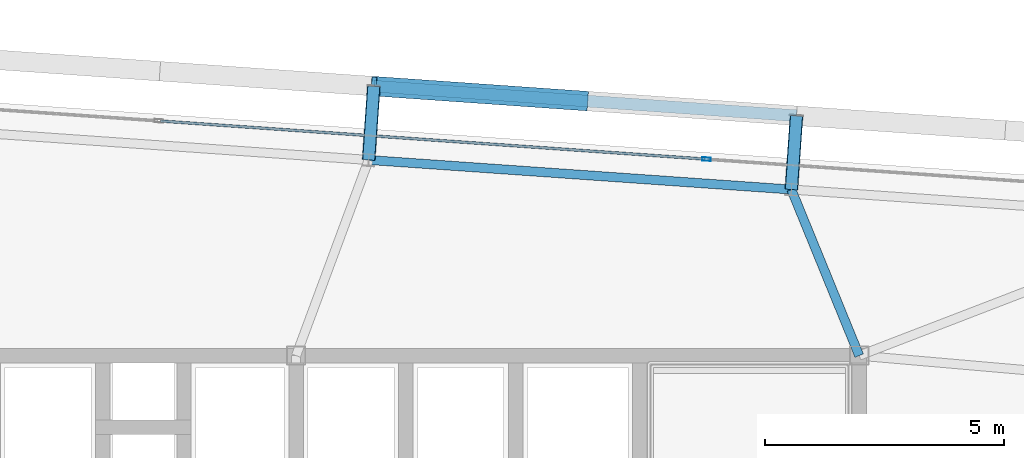
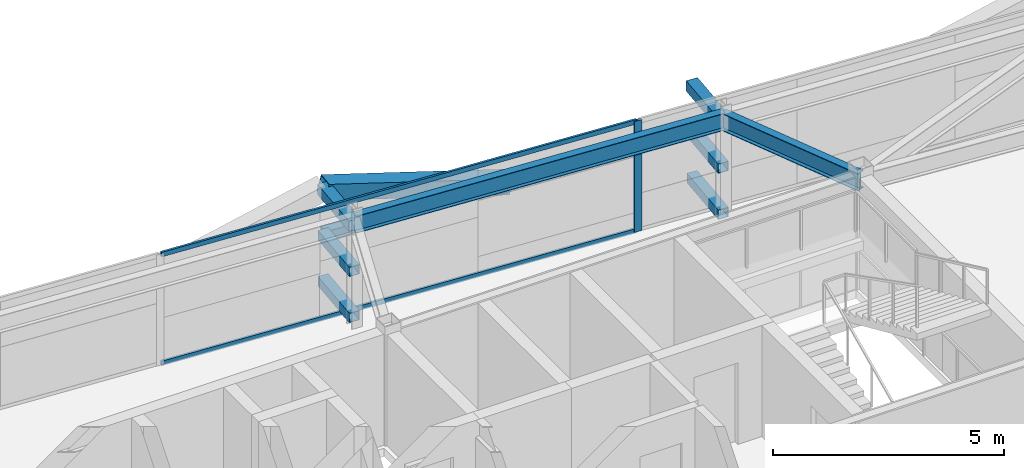
# One storey, part 23 of 39: 11 members, 2 beams, 1 element without a shape of its own.
"""IFC4 building model written with IfcOpenShell, lengths in metres."""

from ifc_helpers import new_model, si_unit, direction, frame, origin, origin_2d, place, context, subcontext, project, spatial, hollow_rectangle, i_section, extrude, source, transform, mapped, material, layer, layer_set, material_profile, profile_set, type_object, element, aggregate, save


model = new_model("IFC4")

# Units and contexts
model_context = context("Model", 3, precision=1e-05, world=origin(), true_north=direction((0.0, 1.0)))
body_context = subcontext(model_context, "Body", "Model", "MODEL_VIEW")
ifc_project = project(units=[si_unit("LENGTHUNIT", "METRE"), si_unit("AREAUNIT", "SQUARE_METRE"), si_unit("VOLUMEUNIT", "CUBIC_METRE"), si_unit("PLANEANGLEUNIT", "RADIAN"), si_unit("MASSUNIT", "GRAM", prefix="KILO")], contexts=[model_context])

# Site, building, storey
site_placement = place(None, origin())
site = spatial("IfcSite", under=ifc_project, at=site_placement, CompositionType="ELEMENT")
building_placement = place(site_placement, origin())
building = spatial("IfcBuilding", under=site, at=building_placement, Name="Taldren Reach Tower", CompositionType="ELEMENT")
storey_placement = place(building_placement, frame((0.0, 0.0, 126.699951171875)))
storey = spatial("IfcBuildingStorey", under=building, at=storey_placement, Name="L38", CompositionType="ELEMENT", Elevation=126.699951171875)

# Members
ifc_material_1 = material(Name="Steel Gr 450 (C450L0)", Category="steel")
ifc_material_profile_1 = material_profile(ifc_material_1, hollow_rectangle(XDim=0.27490234375, YDim=0.27490234375, WallThickness=0.00927734375, at=origin_2d()), Name="275x275x9.3SHS")
ifc_profile_set_1 = profile_set([ifc_material_profile_1], Name="Steel Gr 450 (C450L0)")
member_type_1 = type_object("IfcMemberType", Name="MB-TIE273", PredefinedType="STRUT", material=ifc_profile_set_1)
shared_shape_1 = source(origin(), body_context, "Body", "SweptSolid", [
    extrude(hollow_rectangle(XDim=0.27490234375, YDim=0.27490234375, WallThickness=0.00927734375, at=origin_2d()), origin(), (0.0, 0.0, 1.0), 1.550048828125),
])
for number, where, z_axis, x_axis, name in (
    (1, (40.7197265625, 36.100341796875, 2.650146484375), (0.06976957191, 0.99756313426, 0.0), (-0.99756313426, 0.06976957191, 0.0), "Exoskeleton diaphragm tie strut B3-N4 L38"),
    (2, (49.578125, 35.48095703125, 2.650146484375), (0.06976957191, 0.99756313426, 0.0), (-0.99756313426, 0.06976957191, 0.0), "Exoskeleton diaphragm tie strut B3-N5 L38"),
):
    element("IfcMember", number, at=place(storey_placement, frame(where, z_axis=z_axis, x_axis=x_axis)), inside=storey, type_object=member_type_1, Name=name, PredefinedType="STRUT", context=body_context, shape_type="MappedRepresentation", body=[
        mapped(shared_shape_1, transform((0.0, 0.0, 0.0), scale=1.0)),
    ])
ifc_material_2 = material(Name="Steel Gr 350 (C350L0)", Category="steel")
ifc_material_profile_2 = material_profile(ifc_material_2, hollow_rectangle(XDim=0.25, YDim=0.25, WallThickness=0.010009765625, at=origin_2d()), Name="250x250x10.0SHS")
ifc_profile_set_2 = profile_set([ifc_material_profile_2], Name="Steel Gr 350 (C350L0)")
member_type_2 = type_object("IfcMemberType", Name="MB-POST250", PredefinedType="POST", material=ifc_profile_set_2)
shared_shape_2 = source(origin(), body_context, "Body", "SweptSolid", [
    extrude(hollow_rectangle(XDim=0.25, YDim=0.25, WallThickness=0.010009765625, at=origin_2d()), origin(), (0.0, 0.0, 1.0), 1.550048828125),
])
for number, where, z_axis, x_axis, name in (
    (3, (40.7197265625, 36.100341796875, 0.219970703125), (0.06976957191, 0.99756313426, 0.0), (-0.99756313426, 0.06976957191, 0.0), "Exoskeleton base diaphragm tie strut B3-N4 L38"),
    (4, (49.578125, 35.48095703125, 0.219970703125), (0.06976957191, 0.99756313426, 0.0), (-0.99756313426, 0.06976957191, 0.0), "Exoskeleton base diaphragm tie strut B3-N5 L38"),
    (5, (40.7197265625, 36.100341796875, 1.43505859375), (0.06976957191, 0.99756313426, 0.0), (-0.99756313426, 0.06976957191, 0.0), "Exoskeleton mid-tier diaphragm tie B3-N4 L38"),
    (6, (49.578125, 35.48095703125, 1.43505859375), (0.06976957191, 0.99756313426, 0.0), (-0.99756313426, 0.06976957191, 0.0), "Exoskeleton mid-tier diaphragm tie B3-N5 L38"),
):
    element("IfcMember", number, at=place(storey_placement, frame(where, z_axis=z_axis, x_axis=x_axis)), inside=storey, type_object=member_type_2, Name=name, PredefinedType="POST", context=body_context, shape_type="MappedRepresentation", body=[
        mapped(shared_shape_2, transform((0.0, 0.0, 0.0), scale=1.0)),
    ])

# Beams
ifc_material_3 = material(Name="Steel Gr 350 (350PLUS)", Category="steel")
ifc_material_profile_3 = material_profile(ifc_material_3, i_section(OverallWidth=0.18994140625, OverallDepth=0.4541015625, WebThickness=0.008544921875, FlangeThickness=0.0126953125, at=origin_2d()), Name="460UB67.1")
ifc_profile_set_3 = profile_set([ifc_material_profile_3], Name="Steel Gr 350 (350PLUS)")
beam_type_1 = type_object("IfcBeamType", Name="SP-UB460B", PredefinedType="SPANDREL", material=ifc_profile_set_3)
shared_shape_3 = source(origin(), body_context, "Body", "SweptSolid", [
    extrude(i_section(OverallWidth=0.18994140625, OverallDepth=0.4541015625, WebThickness=0.008544921875, FlangeThickness=0.0126953125, at=origin_2d()), origin(), (0.0, 0.0, 1.0), 8.880126953125),
])
beam_1_placement = place(storey_placement, frame((49.578125, 35.48095703125, 2.703125), z_axis=(-0.997564479639, 0.069750333063, 0.0), x_axis=(-0.069750333063, -0.997564479639, 0.0)))
element("IfcBeam", 7, at=beam_1_placement, inside=storey, type_object=beam_type_1, Name="Perimeter spandrel B3 N5-N4 L38", PredefinedType="SPANDREL", context=body_context, shape_type="MappedRepresentation", body=[
    mapped(shared_shape_3, transform((0.0, 0.0, 0.0), scale=1.0)),
])
ifc_material_profile_4 = material_profile(ifc_material_3, i_section(OverallWidth=0.19091796875, OverallDepth=0.4599609375, WebThickness=0.010009765625, FlangeThickness=0.01611328125, at=origin_2d()), Name="460UB82.1")
ifc_profile_set_4 = profile_set([ifc_material_profile_4], Name="Steel Gr 350 (350PLUS)")
beam_type_2 = type_object("IfcBeamType", Name="BM-UB460A", PredefinedType="BEAM", material=ifc_profile_set_4)
shared_shape_4 = source(origin(), body_context, "Body", "SweptSolid", [
    extrude(i_section(OverallWidth=0.19091796875, OverallDepth=0.4599609375, WebThickness=0.010009765625, FlangeThickness=0.01611328125, at=origin_2d()), origin(), (0.0, 0.0, 1.0), 3.76025390625),
])
beam_2_placement = place(storey_placement, frame((51.0, 32.0, 2.699951171875), z_axis=(-0.37814232545, 0.925747471886, 0.0), x_axis=(-0.925747471886, -0.37814232545, 0.0)))
element("IfcBeam", 8, at=beam_2_placement, inside=storey, type_object=beam_type_2, Name="Primary floor girder B3-N5 L38", PredefinedType="BEAM", context=body_context, shape_type="MappedRepresentation", body=[
    mapped(shared_shape_4, transform((0.0, 0.0, 0.0), scale=1.0)),
])

# Members
shared_shape_5 = source(origin(), body_context, "Body", "SweptSolid", [
    extrude(hollow_rectangle(XDim=0.25, YDim=0.25, WallThickness=0.010009765625, at=origin_2d()), origin(), (0.0, 0.0, 1.0), 8.880126953125),
])
member_1_placement = place(storey_placement, frame((40.827880859375, 37.646728515625, 1.43505859375), z_axis=(0.997564479639, -0.069750333063, 0.0), x_axis=(0.069750333063, 0.997564479639, 0.0)))
element("IfcMember", 9, at=member_1_placement, inside=storey, type_object=member_type_2, Name="Exoskeleton mid-height ring chord B3-N4 L38", PredefinedType="POST", context=body_context, shape_type="MappedRepresentation", body=[
    mapped(shared_shape_5, transform((0.0, 0.0, 0.0), scale=1.0)),
])
ifc_material_profile_5 = material_profile(ifc_material_1, hollow_rectangle(XDim=0.409912109375, YDim=0.409912109375, WallThickness=0.01611328125, at=origin_2d()), Name="410x410x16.0SHS")
ifc_profile_set_5 = profile_set([ifc_material_profile_5], Name="Steel Gr 450 (C450L0)")
member_type_3 = type_object("IfcMemberType", Name="MB-EXO406", PredefinedType="BRACE", material=ifc_profile_set_5)
shared_shape_6 = source(origin(), body_context, "Body", "SweptSolid", [
    extrude(hollow_rectangle(XDim=0.409912109375, YDim=0.409912109375, WallThickness=0.01611328125, at=origin_2d()), origin(), (0.0, 0.0, 1.0), 4.603271484375),
])
member_2_placement = place(storey_placement, frame((45.257080078125, 37.3369140625, 1.43505859375), z_axis=(-0.962182351074, 0.067302910567, 0.263961060594), x_axis=(-0.06977769246, -0.997562566276, 0.0)))
element("IfcMember", 10, at=member_2_placement, inside=storey, type_object=member_type_3, Name="Exoskeleton Diagrid Brace B3-N4 L38", PredefinedType="BRACE", context=body_context, shape_type="MappedRepresentation", body=[
    mapped(shared_shape_6, transform((0.0, 0.0, 0.0), scale=1.0)),
])

# Curtain wall, members
ifc_material_4 = material(Name="Aluminium and Low-E Glass Unitised System", Category="aluminium")
ifc_layer = layer(ifc_material_4, 0.159912109375)
ifc_layer_set = layer_set([ifc_layer], Name="Aluminium and Low-E Glass Unitised System")
curtain_wall_type = type_object("IfcCurtainWallType", Name="CW-SYS-4", PredefinedType="NOTDEFINED", material=ifc_layer_set)
curtain_wall_placement = place(storey_placement, origin())
curtain_wall = element("IfcCurtainWall", 11, at=curtain_wall_placement, inside=storey, type_object=curtain_wall_type, Name="Unitised curtain wall CW-L38-N", PredefinedType="NOTDEFINED")
ifc_material_5 = material(Name="Anodised Aluminium 6063-T6", Category="aluminium")
ifc_material_profile_6 = material_profile(ifc_material_5, hollow_rectangle(XDim=0.054931640625, YDim=0.1201171875, WallThickness=0.0029296875, at=origin_2d()), Name="ALU-120x55x3RHS")
ifc_profile_set_6 = profile_set([ifc_material_profile_6], Name="Anodised Aluminium 6063-T6")
member_type_4 = type_object("IfcMemberType", Name="CW-TRN-135", PredefinedType="USERDEFINED", material=ifc_profile_set_6)
shared_shape_7 = source(origin(), body_context, "Body", "SweptSolid", [
    extrude(hollow_rectangle(XDim=0.054931640625, YDim=0.1201171875, WallThickness=0.0029296875, at=origin_2d()), origin(), (0.0, 0.0, 1.0), 11.429931640625),
])
member_3_placement = place(storey_placement, frame((47.76318359375, 36.119140625, 0.027587890625), z_axis=(-0.997563740938, 0.069760897114, 0.0), x_axis=(-0.069760897114, -0.997563740938, 0.0)))
member_3 = element("IfcMember", 12, at=member_3_placement, type_object=member_type_4, Name="CW-4 transom 2.1", ObjectType="TRANSOM", PredefinedType="USERDEFINED", context=body_context, shape_type="MappedRepresentation", body=[
    mapped(shared_shape_7, transform((0.0, 0.0, 0.0), scale=1.0)),
])
member_4_placement = place(storey_placement, frame((47.76318359375, 36.119140625, 2.902587890625), z_axis=(-0.997563740938, 0.069760897114, 0.0), x_axis=(-0.069760897114, -0.997563740938, 0.0)))
member_4 = element("IfcMember", 13, at=member_4_placement, type_object=member_type_4, Name="CW-4 transom 2.2", ObjectType="TRANSOM", PredefinedType="USERDEFINED", context=body_context, shape_type="MappedRepresentation", body=[
    mapped(shared_shape_7, transform((0.0, 0.0, 0.0), scale=1.0)),
])
ifc_material_profile_7 = material_profile(ifc_material_5, hollow_rectangle(XDim=0.070068359375, YDim=0.179931640625, WallThickness=0.00390625, at=origin_2d()), Name="ALU-180x70x4RHS")
ifc_profile_set_7 = profile_set([ifc_material_profile_7], Name="Anodised Aluminium 6063-T6")
member_type_5 = type_object("IfcMemberType", Name="CW-MUL-180", PredefinedType="MULLION", material=ifc_profile_set_7)
shared_shape_8 = source(origin(), body_context, "Body", "SweptSolid", [
    extrude(hollow_rectangle(XDim=0.070068359375, YDim=0.179931640625, WallThickness=0.00390625, at=origin_2d()), origin(), (0.0, 0.0, 1.0), 2.929931640625),
])
member_5_placement = place(storey_placement, frame((47.798095703125, 36.11669921875, 0.0), z_axis=(0.0, 0.0, 1.0), x_axis=(-0.06975651593, -0.99756404731, 0.0)))
member_5 = element("IfcMember", 14, at=member_5_placement, type_object=member_type_5, Name="CW-4 mullion 2", PredefinedType="MULLION", context=body_context, shape_type="MappedRepresentation", body=[
    mapped(shared_shape_8, transform((0.0, 0.0, 0.0), scale=1.0)),
])
aggregate(curtain_wall, [member_5, member_3, member_4])

save(model, "model.ifc")
